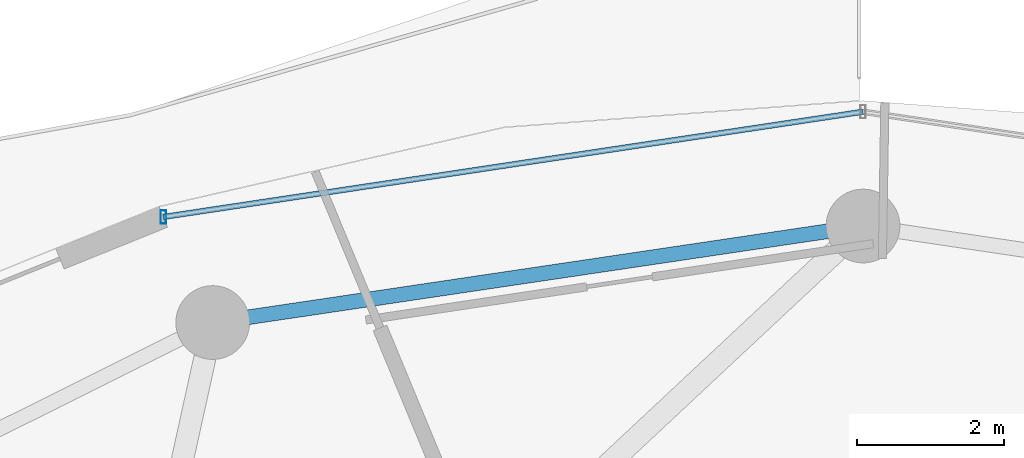
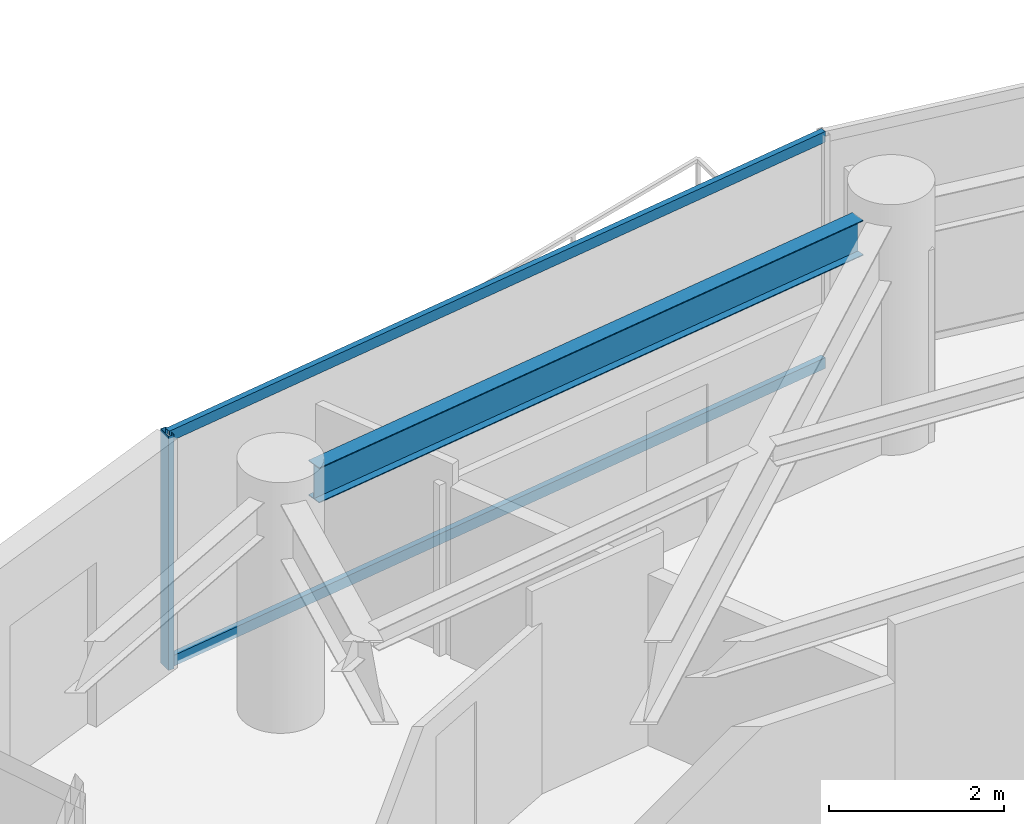
# One storey, part 17 of 29: 3 members, 1 beam, 1 element without a shape of its own.
"""IFC4 building model written with IfcOpenShell, lengths in metres."""

from ifc_helpers import new_model, si_unit, direction, frame, origin, origin_2d, place, context, subcontext, project, spatial, hollow_rectangle, i_section, extrude, material, material_profile, profile_set, type_object, element, aggregate, save


model = new_model("IFC4")

# Units and contexts
model_context = context("Model", 3, precision=1e-05, world=origin(), true_north=direction((0.0, 1.0)))
body_context = subcontext(model_context, "Body", "Model", "MODEL_VIEW")
ifc_project = project(units=[si_unit("LENGTHUNIT", "METRE"), si_unit("AREAUNIT", "SQUARE_METRE"), si_unit("VOLUMEUNIT", "CUBIC_METRE"), si_unit("PLANEANGLEUNIT", "RADIAN"), si_unit("MASSUNIT", "GRAM", prefix="KILO")], contexts=[model_context])

# Site, building, storey
site_placement = place(None, origin())
site = spatial("IfcSite", under=ifc_project, at=site_placement, CompositionType="ELEMENT")
building_placement = place(site_placement, origin())
building = spatial("IfcBuilding", under=site, at=building_placement, Name="Vorneva Point Tower", CompositionType="ELEMENT")
storey_placement = place(building_placement, frame((0.0, 0.0, 171.10009765625)))
storey = spatial("IfcBuildingStorey", under=building, at=storey_placement, Name="L46", CompositionType="ELEMENT", Elevation=171.10009765625)

# Beam
ifc_material_1 = material(Name="Steel S355", Category="steel")
ifc_material_profile_1 = material_profile(ifc_material_1, i_section(OverallWidth=0.199951171875, OverallDepth=0.491943359375, WebThickness=0.0087890625, FlangeThickness=0.011962890625, at=origin_2d()), Name="50B1")
ifc_profile_set_1 = profile_set([ifc_material_profile_1], Name="Steel S355")
beam_type = type_object("IfcBeamType", Name="BM-SPN-50B1", PredefinedType="SPANDREL", material=ifc_profile_set_1)
beam_placement = place(storey_placement, frame((37.520263671875, 43.12890625, 2.953857421875), z_axis=(-0.989161199046, -0.146833655211, 0.0), x_axis=(0.146833655211, -0.989161199046, 0.0)))
element("IfcBeam", 1, at=beam_placement, inside=storey, type_object=beam_type, Name="L46 Perimeter Spandrel Ring Beam 05", PredefinedType="SPANDREL", context=body_context, shape_type="SweptSolid", body=[
    extrude(i_section(OverallWidth=0.199951171875, OverallDepth=0.491943359375, WebThickness=0.0087890625, FlangeThickness=0.011962890625, at=origin_2d()), origin(), (0.0, 0.0, 1.0), 7.94775390625),
])

# Curtain wall, members
ifc_material_2 = material(Name="Pale anodised aluminium", Category="aluminium")
curtain_wall_type = type_object("IfcCurtainWallType", Name="CW-RES-SYS", PredefinedType="NOTDEFINED", material=ifc_material_2)
curtain_wall_placement = place(storey_placement, origin())
curtain_wall = element("IfcCurtainWall", 2, at=curtain_wall_placement, inside=storey, type_object=curtain_wall_type, Name="L46 Unitised Curtain Wall CW-L46-R02", PredefinedType="NOTDEFINED")
ifc_material_profile_2 = material_profile(ifc_material_2, hollow_rectangle(XDim=0.074951171875, YDim=0.179931640625, WallThickness=0.00390625, at=origin_2d()), Name="AL-MUL 180x75x4")
ifc_profile_set_2 = profile_set([ifc_material_profile_2], Name="Pale anodised aluminium")
member_type_1 = type_object("IfcMemberType", Name="CW-MUL-180", PredefinedType="MULLION", material=ifc_profile_set_2)
member_1_placement = place(storey_placement, frame((28.509521484375, 43.32275390625, -0.0400390625), z_axis=(0.0, 0.0, 1.0), x_axis=(1.0, 0.0, 0.0)))
member_1 = element("IfcMember", 3, at=member_1_placement, type_object=member_type_1, Name="CW-L46-R02 Mullion 04", PredefinedType="MULLION", context=body_context, shape_type="SweptSolid", body=[
    extrude(hollow_rectangle(XDim=0.074951171875, YDim=0.179931640625, WallThickness=0.00390625, at=origin_2d()), origin(), (0.0, 0.0, 1.0), 3.27001953125),
])
ifc_material_profile_3 = material_profile(ifc_material_2, hollow_rectangle(XDim=0.074951171875, YDim=0.14990234375, WallThickness=0.00390625, at=origin_2d()), Name="AL-TRN 150x75x4")
ifc_profile_set_3 = profile_set([ifc_material_profile_3], Name="Pale anodised aluminium")
member_type_2 = type_object("IfcMemberType", Name="CW-TRN-150", PredefinedType="USERDEFINED", material=ifc_profile_set_3)
member_2_placement = place(storey_placement, frame((38.0, 44.75, 0.02001953125), z_axis=(-0.988880117727, -0.148714870687, 0.0), x_axis=(0.148714870687, -0.988880117727, 0.0)))
member_2 = element("IfcMember", 4, at=member_2_placement, type_object=member_type_2, Name="CW-L46-R02 Transom 03.1", ObjectType="TRANSOM", PredefinedType="USERDEFINED", context=body_context, shape_type="SweptSolid", body=[
    extrude(hollow_rectangle(XDim=0.074951171875, YDim=0.14990234375, WallThickness=0.00390625, at=origin_2d()), origin(), (0.0, 0.0, 1.0), 9.59716796875),
])
member_3_placement = place(storey_placement, frame((38.0, 44.75, 3.179931640625), z_axis=(-0.988880117727, -0.148714870687, 0.0), x_axis=(0.148714870687, -0.988880117727, 0.0)))
member_3 = element("IfcMember", 5, at=member_3_placement, type_object=member_type_2, Name="CW-L46-R02 Transom 03.2", ObjectType="TRANSOM", PredefinedType="USERDEFINED", context=body_context, shape_type="SweptSolid", body=[
    extrude(hollow_rectangle(XDim=0.074951171875, YDim=0.14990234375, WallThickness=0.00390625, at=origin_2d()), origin(), (0.0, 0.0, 1.0), 9.59716796875),
])
aggregate(curtain_wall, [member_1, member_2, member_3])

save(model, "model.ifc")
